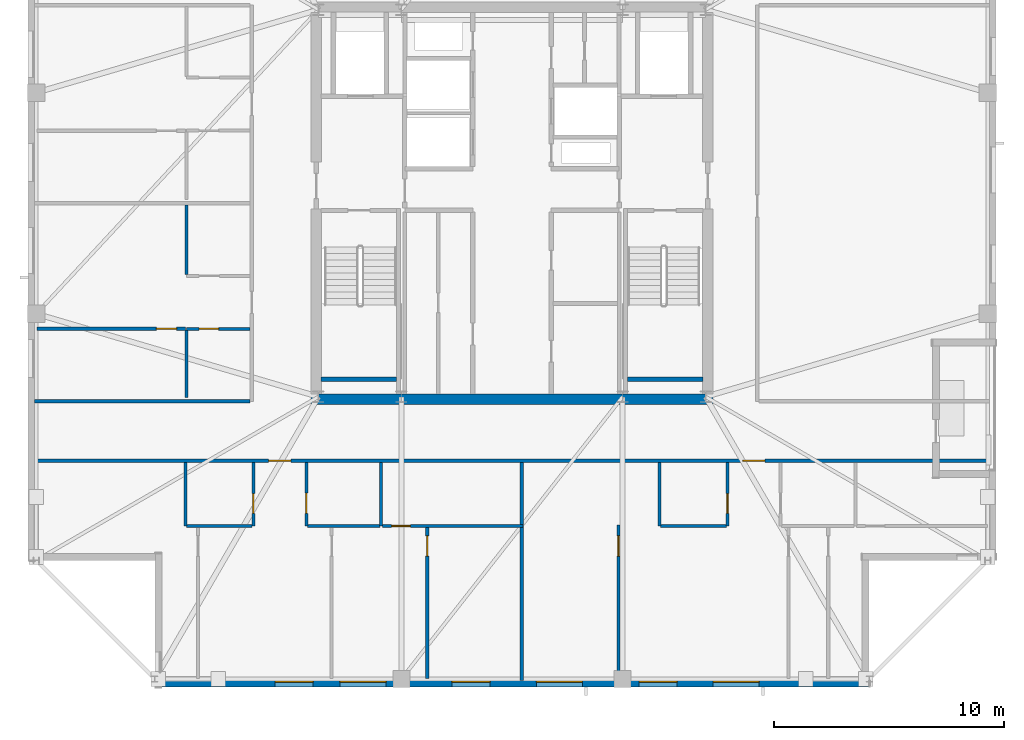
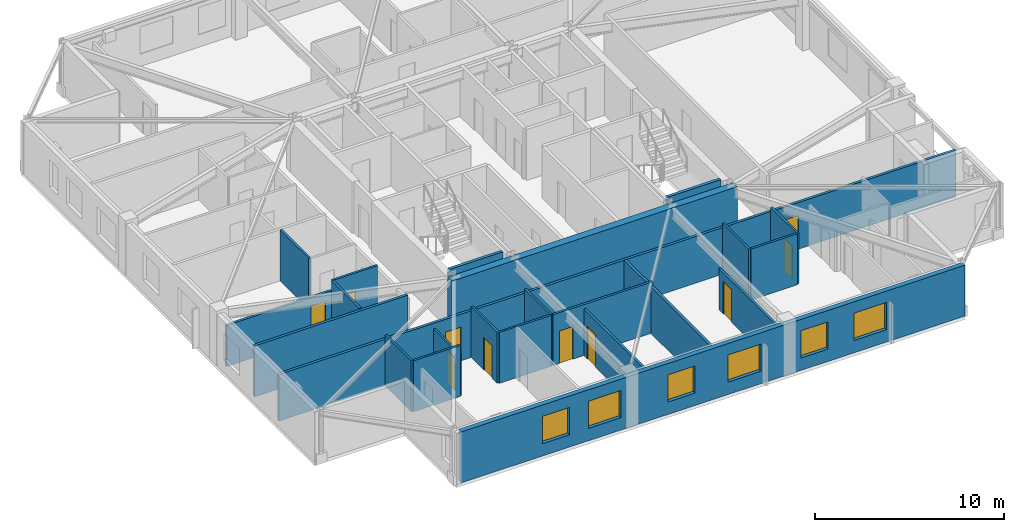
# One storey, part 7 of 14: 23 walls, 10 doors, 6 windows, 16 openings.
"""IFC4 building model written with IfcOpenShell, lengths in metres."""

from ifc_helpers import new_model, si_unit, direction, frame, frame_2d, origin, place, context, subcontext, project, spatial, rectangle, extrude, material, layer, layer_set, type_object, element, fill, save


model = new_model("IFC4")

# Units and contexts
model_context = context("Model", 3, precision=1e-05, world=origin(), true_north=direction((0.0, 1.0)))
body_context = subcontext(model_context, "Body", "Model", "MODEL_VIEW")
ifc_project = project(units=[si_unit("LENGTHUNIT", "METRE"), si_unit("AREAUNIT", "SQUARE_METRE"), si_unit("VOLUMEUNIT", "CUBIC_METRE"), si_unit("PLANEANGLEUNIT", "RADIAN"), si_unit("MASSUNIT", "GRAM", prefix="KILO")], contexts=[model_context])

# Site, building, storey
site_placement = place(None, origin())
site = spatial("IfcSite", under=ifc_project, at=site_placement, CompositionType="ELEMENT")
building_placement = place(site_placement, origin())
building = spatial("IfcBuilding", under=site, at=building_placement, Name="Cairnveth Concourse Tower", CompositionType="ELEMENT")
storey_placement = place(building_placement, frame((0.0, 0.0, 294.5)))
storey = spatial("IfcBuildingStorey", under=building, at=storey_placement, Name="L81", CompositionType="ELEMENT", Elevation=294.5)

# Wall, openings, doors
ifc_material_1 = material(Name="Gypsum Plasterboard Partition", Category="gypsum")
ifc_layer_1 = layer(ifc_material_1, 0.159912109375)
ifc_layer_set_1 = layer_set([ifc_layer_1], Name="Gypsum Plasterboard Partition")
wall_type_1 = type_object("IfcWallType", Name="ACOUSTIC PARTY WALL 180", PredefinedType="PARTITIONING", material=ifc_layer_set_1)
wall_1_placement = place(storey_placement, frame((31.284912109375, 27.822509765625, 0.0), z_axis=(0.0, 0.0, 1.0), x_axis=(1.0, 0.0, 0.0)))
wall_1 = element("IfcWall", 1, at=wall_1_placement, inside=storey, type_object=wall_type_1, Name="Interior Wall IW-L81-036", PredefinedType="PARTITIONING", context=body_context, shape_type="SweptSolid", body=[
    extrude(rectangle(XDim=41.300048828125, YDim=0.159912109375, at=frame_2d((20.64990234375, 0.0))), origin(), (0.0, 0.0, 1.0), 3.009033203125),
])
opening_1_placement = place(wall_1_placement, frame((10.15625, 0.0, 0.0)))
opening_1 = element("IfcOpeningElement", 2, at=opening_1_placement, cuts=wall_1, Name="Opening ID10", PredefinedType="OPENING", context=body_context, shape_type="SweptSolid", body=[
    extrude(rectangle(XDim=0.9599609375, YDim=2.179931640625, at=frame_2d((0.47998046875, 1.08984375))), frame((0.0, 0.08984375, 0.0), z_axis=(0.0, -1.0, 0.0), x_axis=(1.0, 0.0, 0.0)), (0.0, 0.0, 1.0), 0.179931640625),
])
opening_2_placement = place(wall_1_placement, frame((30.736083984375, 0.0, 0.0)))
opening_2 = element("IfcOpeningElement", 3, at=opening_2_placement, cuts=wall_1, Name="Opening ID10", PredefinedType="OPENING", context=body_context, shape_type="SweptSolid", body=[
    extrude(rectangle(XDim=0.9599609375, YDim=2.179931640625, at=frame_2d((0.47998046875, 1.08984375))), frame((0.0, 0.08984375, 0.0), z_axis=(0.0, -1.0, 0.0), x_axis=(1.0, 0.0, 0.0)), (0.0, 0.0, 1.0), 0.179931640625),
])
ifc_material_2 = material(Name="Solid Core Hardwood Timber Leaf", Category="wood")
door_type_1 = type_object("IfcDoorType", Name="FLAT ENTRANCE DOOR 960X2150", OperationType="NOTDEFINED", PredefinedType="DOOR", material=ifc_material_2)
door_1_placement = place(opening_1_placement, origin())
door_1 = element("IfcDoor", 4, at=door_1_placement, inside=storey, type_object=door_type_1, Name="Penthouse L81PS1 Entrance Door", OperationType="SINGLE_SWING_RIGHT", OverallHeight=2.179931640625, OverallWidth=0.9599609375, PredefinedType="DOOR", context=body_context, shape_type="SweptSolid", body=[
    extrude(rectangle(XDim=0.9599609375, YDim=2.179931640625, at=frame_2d((0.47998046875, 1.08984375))), frame((0.0, 0.02490234375, 0.0), z_axis=(0.0, -1.0, 0.0), x_axis=(1.0, 0.0, 0.0)), (0.0, 0.0, 1.0), 0.050048828125),
])
fill(opening_1, door_1)
door_2_placement = place(opening_2_placement, origin())
door_2 = element("IfcDoor", 5, at=door_2_placement, inside=storey, type_object=door_type_1, Name="Penthouse L81PS2 Entrance Door", OperationType="SINGLE_SWING_LEFT", OverallHeight=2.179931640625, OverallWidth=0.9599609375, PredefinedType="DOOR", context=body_context, shape_type="SweptSolid", body=[
    extrude(rectangle(XDim=0.9599609375, YDim=2.179931640625, at=frame_2d((0.47998046875, 1.08984375))), frame((0.0, 0.02490234375, 0.0), z_axis=(0.0, -1.0, 0.0), x_axis=(1.0, 0.0, 0.0)), (0.0, 0.0, 1.0), 0.050048828125),
])
fill(opening_2, door_2)

# Walls
wall_2_placement = place(storey_placement, frame((31.284912109375, 30.39990234375, 0.0), z_axis=(0.0, 0.0, 1.0), x_axis=(1.0, 0.0, 0.0)))
element("IfcWall", 6, at=wall_2_placement, inside=storey, type_object=wall_type_1, Name="Interior Wall IW-L81-040", PredefinedType="PARTITIONING", context=body_context, shape_type="SweptSolid", body=[
    extrude(rectangle(XDim=9.35009765625, YDim=0.159912109375, at=frame_2d((4.675048828125, 0.0))), origin(), (0.0, 0.0, 1.0), 3.2900390625),
])
wall_3_placement = place(storey_placement, frame((52.422607421875, 18.284912109375, 0.0), z_axis=(0.0, 0.0, 1.0), x_axis=(0.0, 1.0, 0.0)))
element("IfcWall", 7, at=wall_3_placement, inside=storey, type_object=wall_type_1, Name="Interior Wall IW-L81-054", PredefinedType="PARTITIONING", context=body_context, shape_type="SweptSolid", body=[
    extrude(rectangle(XDim=9.47265625, YDim=0.159912109375, at=frame_2d((4.736328125, 0.0))), origin(), (0.0, 0.0, 1.0), 3.009033203125),
])
ifc_material_3 = material(Name="Concrete N65 (65 MPa)", Category="concrete")
ifc_layer_2 = layer(ifc_material_3, 0.449951171875)
ifc_layer_set_2 = layer_set([ifc_layer_2], Name="Concrete N65 (65 MPa)")
wall_type_2 = type_object("IfcWallType", Name="CORE SHEAR WALL 450", PredefinedType="SHEAR", material=ifc_layer_set_2)
wall_4_placement = place(storey_placement, frame((43.27490234375, 30.5, 0.0), z_axis=(0.0, 0.0, 1.0), x_axis=(1.0, 0.0, 0.0)))
element("IfcWall", 8, at=wall_4_placement, inside=storey, type_object=wall_type_2, Name="Core South Shear Wall L81", PredefinedType="SHEAR", context=body_context, shape_type="SweptSolid", body=[
    extrude(rectangle(XDim=17.4501953125, YDim=0.449951171875, at=frame_2d((8.72509765625, 0.0))), origin(), (0.0, 0.0, 1.0), 3.2900390625),
])
ifc_material_4 = material(Name="Concrete N50 (50 MPa)", Category="concrete")
ifc_layer_3 = layer(ifc_material_4, 0.179931640625)
ifc_layer_set_3 = layer_set([ifc_layer_3], Name="Concrete N50 (50 MPa)")
wall_type_3 = type_object("IfcWallType", Name="FIRE SHAFT WALL 180", PredefinedType="SOLIDWALL", material=ifc_layer_set_3)
for number, where, z_axis, x_axis, name in (
    (9, (43.715087890625, 31.360107421875, 0.0), (0.0, 0.0, 1.0), (1.0, 0.0, 0.0), "Stair ST-1 Shaft Wall FAR L81"),
    (10, (57.0048828125, 31.360107421875, 0.0), (0.0, 0.0, 1.0), (1.0, 0.0, 0.0), "Stair ST-2 Shaft Wall FAR L81"),
):
    element("IfcWall", number, at=place(storey_placement, frame(where, z_axis=z_axis, x_axis=x_axis)), inside=storey, type_object=wall_type_3, Name=name, PredefinedType="SOLIDWALL", context=body_context, shape_type="SweptSolid", body=[
        extrude(rectangle(XDim=3.280029296875, YDim=0.179931640625, at=frame_2d((1.64013671875, 0.0))), origin(), (0.0, 0.0, 1.0), 3.2900390625),
    ])

# Wall, opening, door
ifc_layer_4 = layer(ifc_material_1, 0.139892578125)
ifc_layer_set_4 = layer_set([ifc_layer_4], Name="Gypsum Plasterboard Partition")
wall_type_4 = type_object("IfcWallType", Name="GYPSUM STUD PARTITION 140", PredefinedType="PARTITIONING", material=ifc_layer_set_4)
wall_5_placement = place(storey_placement, frame((48.322509765625, 18.3798828125, 0.0), z_axis=(0.0, 0.0, 1.0), x_axis=(0.0, 1.0, 0.0)))
wall_5 = element("IfcWall", 11, at=wall_5_placement, inside=storey, type_object=wall_type_4, Name="Interior Wall IW-L81-051", PredefinedType="PARTITIONING", context=body_context, shape_type="SweptSolid", body=[
    extrude(rectangle(XDim=6.652587890625, YDim=0.139892578125, at=frame_2d((3.326171875, 0.0))), origin(), (0.0, 0.0, 1.0), 3.009033203125),
])
opening_3_placement = place(wall_5_placement, frame((5.302490234375, 0.0, 0.0)))
opening_3 = element("IfcOpeningElement", 12, at=opening_3_placement, cuts=wall_5, Name="Opening ID18", PredefinedType="OPENING", context=body_context, shape_type="SweptSolid", body=[
    extrude(rectangle(XDim=0.8798828125, YDim=2.10009765625, at=frame_2d((0.43994140625, 1.050048828125))), frame((0.0, 0.079833984375, 0.0), z_axis=(0.0, -1.0, 0.0), x_axis=(1.0, 0.0, 0.0)), (0.0, 0.0, 1.0), 0.159912109375),
])
door_type_2 = type_object("IfcDoorType", Name="INTERIOR SINGLE DOOR 880X2100", OperationType="NOTDEFINED", PredefinedType="DOOR", material=ifc_material_2)
door_3_placement = place(opening_3_placement, origin())
door_3 = element("IfcDoor", 13, at=door_3_placement, inside=storey, type_object=door_type_2, Name="L81PS1 Bedroom 2 Door", OperationType="SINGLE_SWING_RIGHT", OverallHeight=2.10009765625, OverallWidth=0.8798828125, PredefinedType="DOOR", context=body_context, shape_type="SweptSolid", body=[
    extrude(rectangle(XDim=0.8798828125, YDim=2.10009765625, at=frame_2d((0.43994140625, 1.050048828125))), frame((0.0, 0.02490234375, 0.0), z_axis=(0.0, -1.0, 0.0), x_axis=(1.0, 0.0, 0.0)), (0.0, 0.0, 1.0), 0.050048828125),
])
fill(opening_3, door_3)

wall_6_placement = place(storey_placement, frame((46.37109375, 24.992431640625, 0.0), z_axis=(0.0, 0.0, 1.0), x_axis=(1.0, 0.0, 0.0)))
wall_6 = element("IfcWall", 14, at=wall_6_placement, inside=storey, type_object=wall_type_4, Name="Interior Wall IW-L81-052", PredefinedType="PARTITIONING", context=body_context, shape_type="SweptSolid", body=[
    extrude(rectangle(XDim=6.101318359375, YDim=0.139892578125, at=frame_2d((3.05078125, 0.0))), origin(), (0.0, 0.0, 1.0), 3.2900390625),
])
opening_4_placement = place(wall_6_placement, frame((0.39990234375, 0.0, 0.0)))
opening_4 = element("IfcOpeningElement", 15, at=opening_4_placement, cuts=wall_6, Name="Opening ID22", PredefinedType="OPENING", context=body_context, shape_type="SweptSolid", body=[
    extrude(rectangle(XDim=0.820068359375, YDim=2.10009765625, at=frame_2d((0.41015625, 1.050048828125))), frame((0.0, 0.079833984375, 0.0), z_axis=(0.0, -1.0, 0.0), x_axis=(1.0, 0.0, 0.0)), (0.0, 0.0, 1.0), 0.159912109375),
])
door_type_3 = type_object("IfcDoorType", Name="INTERIOR WC DOOR 820X2100", OperationType="NOTDEFINED", PredefinedType="DOOR", material=ifc_material_2)
door_4_placement = place(opening_4_placement, origin())
door_4 = element("IfcDoor", 16, at=door_4_placement, inside=storey, type_object=door_type_3, Name="L81PS1 Utility Door", OperationType="SINGLE_SWING_LEFT", OverallHeight=2.10009765625, OverallWidth=0.820068359375, PredefinedType="DOOR", context=body_context, shape_type="SweptSolid", body=[
    extrude(rectangle(XDim=0.820068359375, YDim=2.10009765625, at=frame_2d((0.41015625, 1.050048828125))), frame((0.0, 0.02490234375, 0.0), z_axis=(0.0, -1.0, 0.0), x_axis=(1.0, 0.0, 0.0)), (0.0, 0.0, 1.0), 0.050048828125),
])
fill(opening_4, door_4)

wall_7_placement = place(storey_placement, frame((56.62255859375, 18.3798828125, 0.0), z_axis=(0.0, 0.0, 1.0), x_axis=(0.0, 1.0, 0.0)))
wall_7 = element("IfcWall", 17, at=wall_7_placement, inside=storey, type_object=wall_type_4, Name="Interior Wall IW-L81-061", PredefinedType="PARTITIONING", context=body_context, shape_type="SweptSolid", body=[
    extrude(rectangle(XDim=6.652587890625, YDim=0.139892578125, at=frame_2d((3.326171875, 0.0))), origin(), (0.0, 0.0, 1.0), 2.653076171875),
])
opening_5_placement = place(wall_7_placement, frame((5.302490234375, 0.0, 0.0)))
opening_5 = element("IfcOpeningElement", 18, at=opening_5_placement, cuts=wall_7, Name="Opening ID18", PredefinedType="OPENING", context=body_context, shape_type="SweptSolid", body=[
    extrude(rectangle(XDim=0.8798828125, YDim=2.10009765625, at=frame_2d((0.43994140625, 1.050048828125))), frame((0.0, 0.079833984375, 0.0), z_axis=(0.0, -1.0, 0.0), x_axis=(1.0, 0.0, 0.0)), (0.0, 0.0, 1.0), 0.159912109375),
])
door_5_placement = place(opening_5_placement, origin())
door_5 = element("IfcDoor", 19, at=door_5_placement, inside=storey, type_object=door_type_2, Name="L81PS2 Master Bedroom Door", OperationType="SINGLE_SWING_LEFT", OverallHeight=2.10009765625, OverallWidth=0.8798828125, PredefinedType="DOOR", context=body_context, shape_type="SweptSolid", body=[
    extrude(rectangle(XDim=0.8798828125, YDim=2.10009765625, at=frame_2d((0.43994140625, 1.050048828125))), frame((0.0, 0.02490234375, 0.0), z_axis=(0.0, -1.0, 0.0), x_axis=(1.0, 0.0, 0.0)), (0.0, 0.0, 1.0), 0.050048828125),
])
fill(opening_5, door_5)

wall_8_placement = place(storey_placement, frame((31.3798828125, 33.550048828125, 0.0), z_axis=(0.0, 0.0, 1.0), x_axis=(1.0, 0.0, 0.0)))
wall_8 = element("IfcWall", 20, at=wall_8_placement, inside=storey, type_object=wall_type_4, Name="Interior Wall IW-L81-081", PredefinedType="PARTITIONING", context=body_context, shape_type="SweptSolid", body=[
    extrude(rectangle(XDim=6.440185546875, YDim=0.139892578125, at=frame_2d((3.22021484375, 0.0))), origin(), (0.0, 0.0, 1.0), 2.653076171875),
])
opening_6_placement = place(wall_8_placement, frame((5.179931640625, 0.0, 0.0)))
opening_6 = element("IfcOpeningElement", 21, at=opening_6_placement, cuts=wall_8, Name="Opening ID18", PredefinedType="OPENING", context=body_context, shape_type="SweptSolid", body=[
    extrude(rectangle(XDim=0.8798828125, YDim=2.10009765625, at=frame_2d((0.43994140625, 1.050048828125))), frame((0.0, 0.079833984375, 0.0), z_axis=(0.0, -1.0, 0.0), x_axis=(1.0, 0.0, 0.0)), (0.0, 0.0, 1.0), 0.159912109375),
])
door_6_placement = place(opening_6_placement, origin())
door_6 = element("IfcDoor", 22, at=door_6_placement, inside=storey, type_object=door_type_2, Name="L81PW1 Master Bedroom Door", OperationType="SINGLE_SWING_RIGHT", OverallHeight=2.10009765625, OverallWidth=0.8798828125, PredefinedType="DOOR", context=body_context, shape_type="SweptSolid", body=[
    extrude(rectangle(XDim=0.8798828125, YDim=2.10009765625, at=frame_2d((0.43994140625, 1.050048828125))), frame((0.0, 0.02490234375, 0.0), z_axis=(0.0, -1.0, 0.0), x_axis=(1.0, 0.0, 0.0)), (0.0, 0.0, 1.0), 0.050048828125),
])
fill(opening_6, door_6)

# Wall
ifc_layer_5 = layer(ifc_material_1, 0.1298828125)
ifc_layer_set_5 = layer_set([ifc_layer_5], Name="Gypsum Plasterboard Partition")
wall_type_5 = type_object("IfcWallType", Name="WET AREA PARTITION 140", PredefinedType="PLUMBINGWALL", material=ifc_layer_set_5)
wall_9_placement = place(storey_placement, frame((37.8212890625, 24.992431640625, 0.0), z_axis=(0.0, 0.0, 1.0), x_axis=(0.0, 1.0, 0.0)))
element("IfcWall", 23, at=wall_9_placement, inside=storey, type_object=wall_type_5, Name="Interior Wall IW-L81-044", PredefinedType="PLUMBINGWALL", context=body_context, shape_type="SweptSolid", body=[
    extrude(rectangle(XDim=2.75, YDim=0.1298828125, at=frame_2d((1.375, 0.0))), origin(), (0.0, 0.0, 1.0), 3.2900390625),
])

# Wall, opening, door
wall_10_placement = place(storey_placement, frame((40.771240234375, 24.992431640625, 0.0), z_axis=(0.0, 0.0, 1.0), x_axis=(0.0, 1.0, 0.0)))
wall_10 = element("IfcWall", 24, at=wall_10_placement, inside=storey, type_object=wall_type_5, Name="Interior Wall IW-L81-045", PredefinedType="PLUMBINGWALL", context=body_context, shape_type="SweptSolid", body=[
    extrude(rectangle(XDim=2.75, YDim=0.1298828125, at=frame_2d((1.375, 0.0))), origin(), (0.0, 0.0, 1.0), 2.653076171875),
])
opening_7_placement = place(wall_10_placement, frame((0.550048828125, 0.0, 0.0)))
opening_7 = element("IfcOpeningElement", 25, at=opening_7_placement, cuts=wall_10, Name="Opening ID21", PredefinedType="OPENING", context=body_context, shape_type="SweptSolid", body=[
    extrude(rectangle(XDim=0.85009765625, YDim=2.080078125, at=frame_2d((0.425048828125, 1.0400390625))), frame((0.0, 0.074951171875, 0.0), z_axis=(0.0, -1.0, 0.0), x_axis=(1.0, 0.0, 0.0)), (0.0, 0.0, 1.0), 0.14990234375),
])
door_type_4 = type_object("IfcDoorType", Name="INTERIOR WC DOOR 850X2100", OperationType="NOTDEFINED", PredefinedType="DOOR", material=ifc_material_2)
door_7_placement = place(opening_7_placement, origin())
door_7 = element("IfcDoor", 26, at=door_7_placement, inside=storey, type_object=door_type_4, Name="L81PS1 Bathroom Door", OperationType="SINGLE_SWING_RIGHT", OverallHeight=2.080078125, OverallWidth=0.85009765625, PredefinedType="DOOR", context=body_context, shape_type="SweptSolid", body=[
    extrude(rectangle(XDim=0.85009765625, YDim=2.080078125, at=frame_2d((0.425048828125, 1.0400390625))), frame((0.0, 0.02490234375, 0.0), z_axis=(0.0, -1.0, 0.0), x_axis=(1.0, 0.0, 0.0)), (0.0, 0.0, 1.0), 0.050048828125),
])
fill(opening_7, door_7)

# Walls
wall_11_placement = place(storey_placement, frame((37.871337890625, 24.992431640625, 0.0), z_axis=(0.0, 0.0, 1.0), x_axis=(1.0, 0.0, 0.0)))
element("IfcWall", 27, at=wall_11_placement, inside=storey, type_object=wall_type_5, Name="Interior Wall IW-L81-046", PredefinedType="PLUMBINGWALL", context=body_context, shape_type="SweptSolid", body=[
    extrude(rectangle(XDim=2.849853515625, YDim=0.1298828125, at=frame_2d((1.4248046875, 0.0))), origin(), (0.0, 0.0, 1.0), 3.2900390625),
])
wall_12_placement = place(storey_placement, frame((46.3212890625, 24.992431640625, 0.0), z_axis=(0.0, 0.0, 1.0), x_axis=(0.0, 1.0, 0.0)))
element("IfcWall", 28, at=wall_12_placement, inside=storey, type_object=wall_type_5, Name="Interior Wall IW-L81-047", PredefinedType="PLUMBINGWALL", context=body_context, shape_type="SweptSolid", body=[
    extrude(rectangle(XDim=2.75, YDim=0.1298828125, at=frame_2d((1.375, 0.0))), origin(), (0.0, 0.0, 1.0), 3.2900390625),
])

# Wall, opening, door
wall_13_placement = place(storey_placement, frame((43.0712890625, 24.992431640625, 0.0), z_axis=(0.0, 0.0, 1.0), x_axis=(0.0, 1.0, 0.0)))
wall_13 = element("IfcWall", 29, at=wall_13_placement, inside=storey, type_object=wall_type_5, Name="Interior Wall IW-L81-048", PredefinedType="PLUMBINGWALL", context=body_context, shape_type="SweptSolid", body=[
    extrude(rectangle(XDim=2.75, YDim=0.1298828125, at=frame_2d((1.375, 0.0))), origin(), (0.0, 0.0, 1.0), 3.2900390625),
])
opening_8_placement = place(wall_13_placement, frame((0.550048828125, 0.0, 0.0)))
opening_8 = element("IfcOpeningElement", 30, at=opening_8_placement, cuts=wall_13, Name="Opening ID18", PredefinedType="OPENING", context=body_context, shape_type="SweptSolid", body=[
    extrude(rectangle(XDim=0.8798828125, YDim=2.10009765625, at=frame_2d((0.43994140625, 1.050048828125))), frame((0.0, 0.074951171875, 0.0), z_axis=(0.0, -1.0, 0.0), x_axis=(1.0, 0.0, 0.0)), (0.0, 0.0, 1.0), 0.14990234375),
])
door_8_placement = place(opening_8_placement, origin())
door_8 = element("IfcDoor", 31, at=door_8_placement, inside=storey, type_object=door_type_2, Name="L81PS1 Kitchen Door", OperationType="SINGLE_SWING_LEFT", OverallHeight=2.10009765625, OverallWidth=0.8798828125, PredefinedType="DOOR", context=body_context, shape_type="SweptSolid", body=[
    extrude(rectangle(XDim=0.8798828125, YDim=2.10009765625, at=frame_2d((0.43994140625, 1.050048828125))), frame((0.0, 0.02490234375, 0.0), z_axis=(0.0, -1.0, 0.0), x_axis=(1.0, 0.0, 0.0)), (0.0, 0.0, 1.0), 0.050048828125),
])
fill(opening_8, door_8)

# Walls
wall_14_placement = place(storey_placement, frame((43.12109375, 24.992431640625, 0.0), z_axis=(0.0, 0.0, 1.0), x_axis=(1.0, 0.0, 0.0)))
element("IfcWall", 32, at=wall_14_placement, inside=storey, type_object=wall_type_5, Name="Interior Wall IW-L81-049", PredefinedType="PLUMBINGWALL", context=body_context, shape_type="SweptSolid", body=[
    extrude(rectangle(XDim=3.150146484375, YDim=0.1298828125, at=frame_2d((1.5751953125, 0.0))), origin(), (0.0, 0.0, 1.0), 3.2900390625),
])
wall_15_placement = place(storey_placement, frame((58.4013671875, 24.992431640625, 0.0), z_axis=(0.0, 0.0, 1.0), x_axis=(0.0, 1.0, 0.0)))
element("IfcWall", 33, at=wall_15_placement, inside=storey, type_object=wall_type_5, Name="Interior Wall IW-L81-055", PredefinedType="PLUMBINGWALL", context=body_context, shape_type="SweptSolid", body=[
    extrude(rectangle(XDim=2.75, YDim=0.1298828125, at=frame_2d((1.375, 0.0))), origin(), (0.0, 0.0, 1.0), 3.2900390625),
])

# Wall, opening, door
wall_16_placement = place(storey_placement, frame((61.351318359375, 24.992431640625, 0.0), z_axis=(0.0, 0.0, 1.0), x_axis=(0.0, 1.0, 0.0)))
wall_16 = element("IfcWall", 34, at=wall_16_placement, inside=storey, type_object=wall_type_5, Name="Interior Wall IW-L81-056", PredefinedType="PLUMBINGWALL", context=body_context, shape_type="SweptSolid", body=[
    extrude(rectangle(XDim=2.75, YDim=0.1298828125, at=frame_2d((1.375, 0.0))), origin(), (0.0, 0.0, 1.0), 3.2900390625),
])
opening_9_placement = place(wall_16_placement, frame((0.550048828125, 0.0, 0.0)))
opening_9 = element("IfcOpeningElement", 35, at=opening_9_placement, cuts=wall_16, Name="Opening ID21", PredefinedType="OPENING", context=body_context, shape_type="SweptSolid", body=[
    extrude(rectangle(XDim=0.85009765625, YDim=2.080078125, at=frame_2d((0.425048828125, 1.0400390625))), frame((0.0, 0.074951171875, 0.0), z_axis=(0.0, -1.0, 0.0), x_axis=(1.0, 0.0, 0.0)), (0.0, 0.0, 1.0), 0.14990234375),
])
door_9_placement = place(opening_9_placement, origin())
door_9 = element("IfcDoor", 36, at=door_9_placement, inside=storey, type_object=door_type_4, Name="L81PS2 Bathroom Door", OperationType="SINGLE_SWING_LEFT", OverallHeight=2.080078125, OverallWidth=0.85009765625, PredefinedType="DOOR", context=body_context, shape_type="SweptSolid", body=[
    extrude(rectangle(XDim=0.85009765625, YDim=2.080078125, at=frame_2d((0.425048828125, 1.0400390625))), frame((0.0, 0.02490234375, 0.0), z_axis=(0.0, -1.0, 0.0), x_axis=(1.0, 0.0, 0.0)), (0.0, 0.0, 1.0), 0.050048828125),
])
fill(opening_9, door_9)

# Wall
wall_17_placement = place(storey_placement, frame((58.451416015625, 24.992431640625, 0.0), z_axis=(0.0, 0.0, 1.0), x_axis=(1.0, 0.0, 0.0)))
element("IfcWall", 37, at=wall_17_placement, inside=storey, type_object=wall_type_5, Name="Interior Wall IW-L81-057", PredefinedType="PLUMBINGWALL", context=body_context, shape_type="SweptSolid", body=[
    extrude(rectangle(XDim=2.849853515625, YDim=0.1298828125, at=frame_2d((1.4248046875, 0.0))), origin(), (0.0, 0.0, 1.0), 3.2900390625),
])

# Wall, opening, door
wall_18_placement = place(storey_placement, frame((37.8701171875, 33.550048828125, 0.0), z_axis=(0.0, 0.0, 1.0), x_axis=(1.0, 0.0, 0.0)))
wall_18 = element("IfcWall", 38, at=wall_18_placement, inside=storey, type_object=wall_type_5, Name="Interior Wall IW-L81-077", PredefinedType="PLUMBINGWALL", context=body_context, shape_type="SweptSolid", body=[
    extrude(rectangle(XDim=2.75, YDim=0.1298828125, at=frame_2d((1.375, 0.0))), origin(), (0.0, 0.0, 1.0), 3.2900390625),
])
opening_10_placement = place(wall_18_placement, frame((0.550048828125, 0.0, 0.0)))
opening_10 = element("IfcOpeningElement", 39, at=opening_10_placement, cuts=wall_18, Name="Opening ID21", PredefinedType="OPENING", context=body_context, shape_type="SweptSolid", body=[
    extrude(rectangle(XDim=0.85009765625, YDim=2.080078125, at=frame_2d((0.425048828125, 1.0400390625))), frame((0.0, 0.074951171875, 0.0), z_axis=(0.0, -1.0, 0.0), x_axis=(1.0, 0.0, 0.0)), (0.0, 0.0, 1.0), 0.14990234375),
])
door_10_placement = place(opening_10_placement, origin())
door_10 = element("IfcDoor", 40, at=door_10_placement, inside=storey, type_object=door_type_4, Name="L81PW1 Bathroom Door", OperationType="SINGLE_SWING_RIGHT", OverallHeight=2.080078125, OverallWidth=0.85009765625, PredefinedType="DOOR", context=body_context, shape_type="SweptSolid", body=[
    extrude(rectangle(XDim=0.85009765625, YDim=2.080078125, at=frame_2d((0.425048828125, 1.0400390625))), frame((0.0, 0.02490234375, 0.0), z_axis=(0.0, -1.0, 0.0), x_axis=(1.0, 0.0, 0.0)), (0.0, 0.0, 1.0), 0.050048828125),
])
fill(opening_10, door_10)

# Walls
wall_19_placement = place(storey_placement, frame((37.8701171875, 30.56005859375, 0.0), z_axis=(0.0, 0.0, 1.0), x_axis=(0.0, 1.0, 0.0)))
element("IfcWall", 41, at=wall_19_placement, inside=storey, type_object=wall_type_5, Name="Interior Wall IW-L81-078", PredefinedType="PLUMBINGWALL", context=body_context, shape_type="SweptSolid", body=[
    extrude(rectangle(XDim=2.93994140625, YDim=0.1298828125, at=frame_2d((1.469970703125, 0.0))), origin(), (0.0, 0.0, 1.0), 3.2900390625),
])
wall_20_placement = place(storey_placement, frame((37.8701171875, 35.89990234375, 0.0), z_axis=(0.0, 0.0, 1.0), x_axis=(0.0, 1.0, 0.0)))
element("IfcWall", 42, at=wall_20_placement, inside=storey, type_object=wall_type_5, Name="Interior Wall IW-L81-080", PredefinedType="PLUMBINGWALL", context=body_context, shape_type="SweptSolid", body=[
    extrude(rectangle(XDim=3.03515625, YDim=0.1298828125, at=frame_2d((1.517578125, 0.0))), origin(), (0.0, 0.0, 1.0), 3.2900390625),
])

# Wall, openings, windows
ifc_material_5 = material(Name="Hawthorn Red-Ochre Fired Clay Brick Masonry", Category="masonry")
ifc_layer_6 = layer(ifc_material_5, 0.300048828125)
ifc_layer_set_6 = layer_set([ifc_layer_6], Name="Hawthorn Red-Ochre Fired Clay Brick Masonry")
wall_type_6 = type_object("IfcWallType", Name="ZONE 4 BRICK PIER SPANDREL WALL 300", PredefinedType="SOLIDWALL", material=ifc_layer_set_6)
wall_21_placement = place(storey_placement, frame((67.5, 18.14990234375, 0.0), z_axis=(0.0, 0.0, 1.0), x_axis=(-1.0, 0.0, 0.0)))
wall_21 = element("IfcWall", 43, at=wall_21_placement, inside=storey, type_object=wall_type_6, Name="Exterior Wall EW-L81-S03", PredefinedType="SOLIDWALL", context=body_context, shape_type="SweptSolid", body=[
    extrude(rectangle(XDim=30.721923828125, YDim=0.300048828125, at=frame_2d((15.36083984375, 0.0))), origin(), (0.0, 0.0, 1.0), 3.2900390625),
])
opening_11_placement = place(wall_21_placement, frame((4.7685546875, 0.0, 0.800048828125)))
opening_11 = element("IfcOpeningElement", 44, at=opening_11_placement, cuts=wall_21, Name="Opening W09", PredefinedType="OPENING", context=body_context, shape_type="SweptSolid", body=[
    extrude(rectangle(XDim=2.0, YDim=1.758056640625, at=frame_2d((1.0, 0.87890625))), frame((0.0, 0.159912109375, 0.0), z_axis=(0.0, -1.0, 0.0), x_axis=(1.0, 0.0, 0.0)), (0.0, 0.0, 1.0), 0.320068359375),
])
opening_12_placement = place(wall_21_placement, frame((8.33056640625, 0.0, 0.800048828125)))
opening_12 = element("IfcOpeningElement", 45, at=opening_12_placement, cuts=wall_21, Name="Opening W04", PredefinedType="OPENING", context=body_context, shape_type="SweptSolid", body=[
    extrude(rectangle(XDim=1.64990234375, YDim=1.758056640625, at=frame_2d((0.824951171875, 0.87890625))), frame((0.0, 0.159912109375, 0.0), z_axis=(0.0, -1.0, 0.0), x_axis=(1.0, 0.0, 0.0)), (0.0, 0.0, 1.0), 0.320068359375),
])
opening_13_placement = place(wall_21_placement, frame((12.4423828125, 0.0, 0.800048828125)))
opening_13 = element("IfcOpeningElement", 46, at=opening_13_placement, cuts=wall_21, Name="Opening W09", PredefinedType="OPENING", context=body_context, shape_type="SweptSolid", body=[
    extrude(rectangle(XDim=2.0, YDim=1.758056640625, at=frame_2d((1.0, 0.87890625))), frame((0.0, 0.159912109375, 0.0), z_axis=(0.0, -1.0, 0.0), x_axis=(1.0, 0.0, 0.0)), (0.0, 0.0, 1.0), 0.320068359375),
])
opening_14_placement = place(wall_21_placement, frame((16.45458984375, 0.0, 0.800048828125)))
opening_14 = element("IfcOpeningElement", 47, at=opening_14_placement, cuts=wall_21, Name="Opening W04", PredefinedType="OPENING", context=body_context, shape_type="SweptSolid", body=[
    extrude(rectangle(XDim=1.64990234375, YDim=1.758056640625, at=frame_2d((0.824951171875, 0.87890625))), frame((0.0, 0.159912109375, 0.0), z_axis=(0.0, -1.0, 0.0), x_axis=(1.0, 0.0, 0.0)), (0.0, 0.0, 1.0), 0.320068359375),
])
opening_15_placement = place(wall_21_placement, frame((20.966552734375, 0.0, 0.800048828125)))
opening_15 = element("IfcOpeningElement", 48, at=opening_15_placement, cuts=wall_21, Name="Opening W09", PredefinedType="OPENING", context=body_context, shape_type="SweptSolid", body=[
    extrude(rectangle(XDim=2.0, YDim=1.758056640625, at=frame_2d((1.0, 0.87890625))), frame((0.0, 0.159912109375, 0.0), z_axis=(0.0, -1.0, 0.0), x_axis=(1.0, 0.0, 0.0)), (0.0, 0.0, 1.0), 0.320068359375),
])
opening_16_placement = place(wall_21_placement, frame((24.12841796875, 0.0, 0.800048828125)))
opening_16 = element("IfcOpeningElement", 49, at=opening_16_placement, cuts=wall_21, Name="Opening W04", PredefinedType="OPENING", context=body_context, shape_type="SweptSolid", body=[
    extrude(rectangle(XDim=1.64990234375, YDim=1.758056640625, at=frame_2d((0.824951171875, 0.87890625))), frame((0.0, 0.159912109375, 0.0), z_axis=(0.0, -1.0, 0.0), x_axis=(1.0, 0.0, 0.0)), (0.0, 0.0, 1.0), 0.320068359375),
])
ifc_material_6 = material(Name="Double Glazed Low-E Clear Glass", Category="glass")
window_type_1 = type_object("IfcWindowType", Name="DEEP-SET GOTHIC LANCET WINDOW 1650X1850", PartitioningType="DOUBLE_PANEL_VERTICAL", PredefinedType="WINDOW", material=ifc_material_6)
window_1_placement = place(opening_12_placement, origin())
window_1 = element("IfcWindow", 50, at=window_1_placement, inside=storey, type_object=window_type_1, Name="Gothic Lancet Window L81-3-2", OverallHeight=1.758056640625, OverallWidth=1.64990234375, PartitioningType="SINGLE_PANEL", PredefinedType="WINDOW", context=body_context, shape_type="SweptSolid", body=[
    extrude(rectangle(XDim=1.64990234375, YDim=1.758056640625, at=frame_2d((0.824951171875, 0.87890625))), frame((0.0, -0.050048828125, 0.0), z_axis=(0.0, -1.0, 0.0), x_axis=(1.0, 0.0, 0.0)), (0.0, 0.0, 1.0), 0.06005859375),
])
fill(opening_12, window_1)
window_2_placement = place(opening_14_placement, origin())
window_2 = element("IfcWindow", 51, at=window_2_placement, inside=storey, type_object=window_type_1, Name="Gothic Lancet Window L81-3-4", OverallHeight=1.758056640625, OverallWidth=1.64990234375, PartitioningType="SINGLE_PANEL", PredefinedType="WINDOW", context=body_context, shape_type="SweptSolid", body=[
    extrude(rectangle(XDim=1.64990234375, YDim=1.758056640625, at=frame_2d((0.824951171875, 0.87890625))), frame((0.0, -0.050048828125, 0.0), z_axis=(0.0, -1.0, 0.0), x_axis=(1.0, 0.0, 0.0)), (0.0, 0.0, 1.0), 0.06005859375),
])
fill(opening_14, window_2)
window_3_placement = place(opening_16_placement, origin())
window_3 = element("IfcWindow", 52, at=window_3_placement, inside=storey, type_object=window_type_1, Name="Gothic Lancet Window L81-3-6", OverallHeight=1.758056640625, OverallWidth=1.64990234375, PartitioningType="SINGLE_PANEL", PredefinedType="WINDOW", context=body_context, shape_type="SweptSolid", body=[
    extrude(rectangle(XDim=1.64990234375, YDim=1.758056640625, at=frame_2d((0.824951171875, 0.87890625))), frame((0.0, -0.050048828125, 0.0), z_axis=(0.0, -1.0, 0.0), x_axis=(1.0, 0.0, 0.0)), (0.0, 0.0, 1.0), 0.06005859375),
])
fill(opening_16, window_3)
window_type_2 = type_object("IfcWindowType", Name="DEEP-SET PENTHOUSE LANCET WINDOW 2000X1850", PartitioningType="DOUBLE_PANEL_VERTICAL", PredefinedType="WINDOW", material=ifc_material_6)
window_4_placement = place(opening_11_placement, origin())
window_4 = element("IfcWindow", 53, at=window_4_placement, inside=storey, type_object=window_type_2, Name="Gothic Lancet Window L81-3-1", OverallHeight=1.758056640625, OverallWidth=2.0, PartitioningType="SINGLE_PANEL", PredefinedType="WINDOW", context=body_context, shape_type="SweptSolid", body=[
    extrude(rectangle(XDim=2.0, YDim=1.758056640625, at=frame_2d((1.0, 0.87890625))), frame((0.0, -0.050048828125, 0.0), z_axis=(0.0, -1.0, 0.0), x_axis=(1.0, 0.0, 0.0)), (0.0, 0.0, 1.0), 0.06005859375),
])
fill(opening_11, window_4)
window_5_placement = place(opening_13_placement, origin())
window_5 = element("IfcWindow", 54, at=window_5_placement, inside=storey, type_object=window_type_2, Name="Gothic Lancet Window L81-3-3", OverallHeight=1.758056640625, OverallWidth=2.0, PartitioningType="SINGLE_PANEL", PredefinedType="WINDOW", context=body_context, shape_type="SweptSolid", body=[
    extrude(rectangle(XDim=2.0, YDim=1.758056640625, at=frame_2d((1.0, 0.87890625))), frame((0.0, -0.050048828125, 0.0), z_axis=(0.0, -1.0, 0.0), x_axis=(1.0, 0.0, 0.0)), (0.0, 0.0, 1.0), 0.06005859375),
])
fill(opening_13, window_5)
window_6_placement = place(opening_15_placement, origin())
window_6 = element("IfcWindow", 55, at=window_6_placement, inside=storey, type_object=window_type_2, Name="Gothic Lancet Window L81-3-5", OverallHeight=1.758056640625, OverallWidth=2.0, PartitioningType="SINGLE_PANEL", PredefinedType="WINDOW", context=body_context, shape_type="SweptSolid", body=[
    extrude(rectangle(XDim=2.0, YDim=1.758056640625, at=frame_2d((1.0, 0.87890625))), frame((0.0, -0.050048828125, 0.0), z_axis=(0.0, -1.0, 0.0), x_axis=(1.0, 0.0, 0.0)), (0.0, 0.0, 1.0), 0.06005859375),
])
fill(opening_15, window_6)

save(model, "model.ifc")
